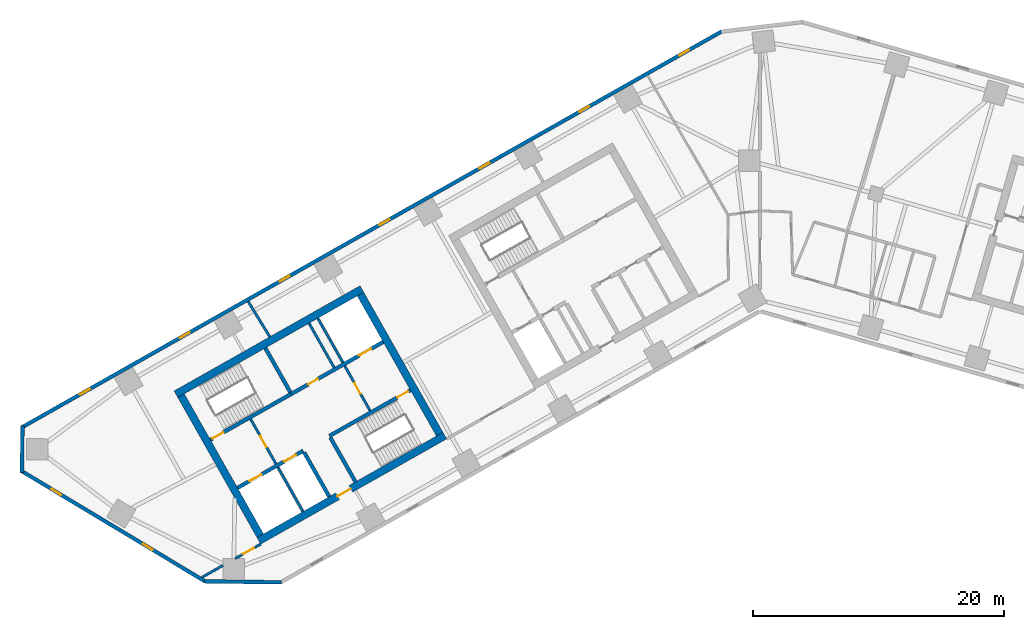
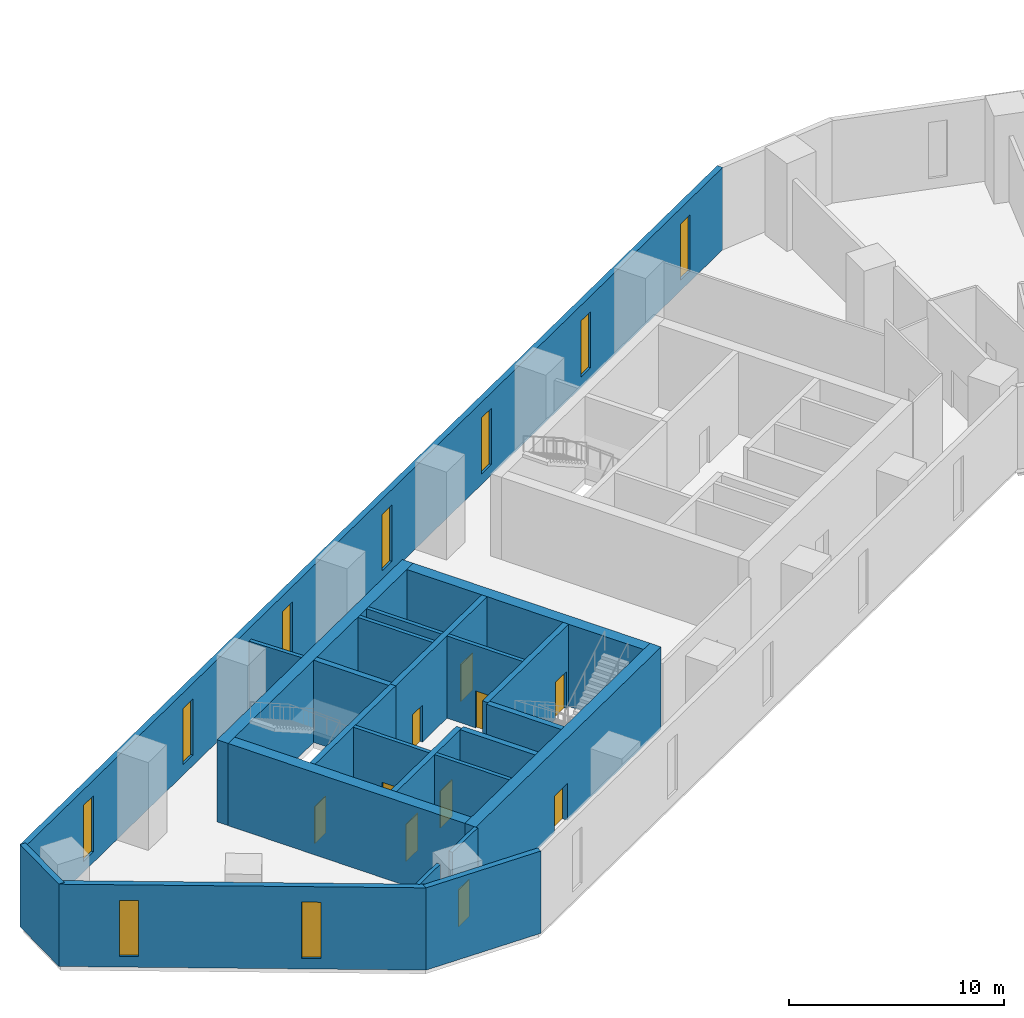
# One storey, part 3 of 10: 23 walls, 10 doors, 9 windows, 19 openings.
"""IFC4 building model written with IfcOpenShell, lengths in metres."""

from ifc_helpers import new_model, si_unit, direction, frame, frame_2d, origin, place, context, subcontext, project, spatial, rectangle, extrude, material, layer, layer_set, type_object, element, fill, save


model = new_model("IFC4")

# Units and contexts
model_context = context("Model", 3, precision=1e-05, world=origin(), true_north=direction((0.0, 1.0)))
body_context = subcontext(model_context, "Body", "Model", "MODEL_VIEW")
ifc_project = project(units=[si_unit("LENGTHUNIT", "METRE"), si_unit("AREAUNIT", "SQUARE_METRE"), si_unit("VOLUMEUNIT", "CUBIC_METRE"), si_unit("PLANEANGLEUNIT", "RADIAN"), si_unit("MASSUNIT", "GRAM", prefix="KILO")], contexts=[model_context])

# Site, building, storey
site_placement = place(None, origin())
site = spatial("IfcSite", under=ifc_project, at=site_placement, CompositionType="ELEMENT")
building_placement = place(site_placement, origin())
building = spatial("IfcBuilding", under=site, at=building_placement, Name="Binnacle Exchange Tower", CompositionType="ELEMENT")
storey_placement = place(building_placement, frame((0.0, 0.0, 81.5)))
storey = spatial("IfcBuildingStorey", under=building, at=storey_placement, Name="L16", CompositionType="ELEMENT", Elevation=81.5)

# Wall, openings, doors
ifc_material_1 = material(Name="Concrete C70/85", Category="concrete")
ifc_layer_1 = layer(ifc_material_1, 0.300048828125)
ifc_layer_set_1 = layer_set([ifc_layer_1], Name="Core wall - front 300")
wall_type_1 = type_object("IfcWallType", Name="Core wall - front 300", PredefinedType="SOLIDWALL", material=ifc_layer_set_1)
wall_1_placement = place(storey_placement, frame((-41.555908203125, 33.9609375, 0.0), z_axis=(0.0, 0.0, 1.0), x_axis=(0.870343731308, 0.492444706919, 0.0)))
wall_1 = element("IfcWall", 1, at=wall_1_placement, inside=storey, type_object=wall_type_1, Name="Core wall CRWA2", PredefinedType="SOLIDWALL", context=body_context, shape_type="SweptSolid", body=[
    extrude(rectangle(XDim=5.999755859375, YDim=0.300048828125, at=frame_2d((3.0, 0.0))), origin(), (0.0, 0.0, 1.0), 4.679931640625),
])
opening_1_placement = place(wall_1_placement, frame((1.099853515625, 0.0, 0.0)))
opening_1 = element("IfcOpeningElement", 2, at=opening_1_placement, cuts=wall_1, Name="Opening LD12", PredefinedType="OPENING", context=body_context, shape_type="SweptSolid", body=[
    extrude(rectangle(XDim=1.10009765625, YDim=2.10009765625, at=frame_2d((0.550048828125, 1.050048828125))), frame((0.0, 0.159912109375, 0.0), z_axis=(0.0, -1.0, 0.0), x_axis=(1.0, 0.0, 0.0)), (0.0, 0.0, 1.0), 0.320068359375),
])
opening_2_placement = place(wall_1_placement, frame((4.25, 0.0, 0.0)))
opening_2 = element("IfcOpeningElement", 3, at=opening_2_placement, cuts=wall_1, Name="Opening LD8", PredefinedType="OPENING", context=body_context, shape_type="SweptSolid", body=[
    extrude(rectangle(XDim=1.10009765625, YDim=2.10009765625, at=frame_2d((0.550048828125, 1.050048828125))), frame((0.0, 0.159912109375, 0.0), z_axis=(0.0, -1.0, 0.0), x_axis=(1.0, 0.0, 0.0)), (0.0, 0.0, 1.0), 0.320068359375),
])
ifc_material_2 = material(Name="Steel door leaf", Category="steel")
door_type_1 = type_object("IfcDoorType", Name="Fire door - lift landing 1100", OperationType="NOTDEFINED", PredefinedType="DOOR", material=ifc_material_2)
door_1_placement = place(opening_1_placement, origin())
door_1 = element("IfcDoor", 4, at=door_1_placement, inside=storey, type_object=door_type_1, Name="Landing door LD12 L16", OperationType="DOUBLE_DOOR_SLIDING", OverallHeight=2.10009765625, OverallWidth=1.10009765625, PredefinedType="DOOR", context=body_context, shape_type="SweptSolid", body=[
    extrude(rectangle(XDim=1.10009765625, YDim=2.10009765625, at=frame_2d((0.550048828125, 1.050048828125))), frame((0.0, 0.02490234375, 0.0), z_axis=(0.0, -1.0, 0.0), x_axis=(1.0, 0.0, 0.0)), (0.0, 0.0, 1.0), 0.050048828125),
])
fill(opening_1, door_1)
door_2_placement = place(opening_2_placement, origin())
door_2 = element("IfcDoor", 5, at=door_2_placement, inside=storey, type_object=door_type_1, Name="Landing door LD8 L16", OperationType="DOUBLE_DOOR_SLIDING", OverallHeight=2.10009765625, OverallWidth=1.10009765625, PredefinedType="DOOR", context=body_context, shape_type="SweptSolid", body=[
    extrude(rectangle(XDim=1.10009765625, YDim=2.10009765625, at=frame_2d((0.550048828125, 1.050048828125))), frame((0.0, 0.02490234375, 0.0), z_axis=(0.0, -1.0, 0.0), x_axis=(1.0, 0.0, 0.0)), (0.0, 0.0, 1.0), 0.050048828125),
])
fill(opening_2, door_2)

wall_2_placement = place(storey_placement, frame((-37.281982421875, 41.4345703125, 0.0), z_axis=(0.0, 0.0, 1.0), x_axis=(0.870356516133, 0.492422110414, 0.0)))
wall_2 = element("IfcWall", 6, at=wall_2_placement, inside=storey, type_object=wall_type_1, Name="Core wall CRWA5", PredefinedType="SOLIDWALL", context=body_context, shape_type="SweptSolid", body=[
    extrude(rectangle(XDim=8.399658203125, YDim=0.300048828125, at=frame_2d((4.19970703125, 0.0))), origin(), (0.0, 0.0, 1.0), 4.679931640625),
])
opening_3_placement = place(wall_2_placement, frame((6.199951171875, 0.0, 0.0)))
opening_3 = element("IfcOpeningElement", 7, at=opening_3_placement, cuts=wall_2, Name="Opening LD13", PredefinedType="OPENING", context=body_context, shape_type="SweptSolid", body=[
    extrude(rectangle(XDim=1.10009765625, YDim=2.10009765625, at=frame_2d((0.550048828125, 1.050048828125))), frame((0.0, 0.159912109375, 0.0), z_axis=(0.0, -1.0, 0.0), x_axis=(1.0, 0.0, 0.0)), (0.0, 0.0, 1.0), 0.320068359375),
])
opening_4_placement = place(wall_2_placement, frame((1.550048828125, 0.0, 0.0)))
opening_4 = element("IfcOpeningElement", 8, at=opening_4_placement, cuts=wall_2, Name="Opening DA10", PredefinedType="OPENING", context=body_context, shape_type="SweptSolid", body=[
    extrude(rectangle(XDim=0.89990234375, YDim=2.10009765625, at=frame_2d((0.449951171875, 1.050048828125))), frame((0.0, 0.159912109375, 0.0), z_axis=(0.0, -1.0, 0.0), x_axis=(1.0, 0.0, 0.0)), (0.0, 0.0, 1.0), 0.320068359375),
])
door_3_placement = place(opening_3_placement, origin())
door_3 = element("IfcDoor", 9, at=door_3_placement, inside=storey, type_object=door_type_1, Name="Landing door LD13 L16", OperationType="DOUBLE_DOOR_SLIDING", OverallHeight=2.10009765625, OverallWidth=1.10009765625, PredefinedType="DOOR", context=body_context, shape_type="SweptSolid", body=[
    extrude(rectangle(XDim=1.10009765625, YDim=2.10009765625, at=frame_2d((0.550048828125, 1.050048828125))), frame((0.0, 0.02490234375, 0.0), z_axis=(0.0, -1.0, 0.0), x_axis=(1.0, 0.0, 0.0)), (0.0, 0.0, 1.0), 0.050048828125),
])
fill(opening_3, door_3)
door_type_2 = type_object("IfcDoorType", Name="Fire door 900", OperationType="NOTDEFINED", PredefinedType="DOOR", material=ifc_material_2)
door_4_placement = place(opening_4_placement, origin())
door_4 = element("IfcDoor", 10, at=door_4_placement, inside=storey, type_object=door_type_2, Name="Core room door LINEN AND SUPPLIES STORE", OperationType="SINGLE_SWING_LEFT", OverallHeight=2.10009765625, OverallWidth=0.89990234375, PredefinedType="DOOR", context=body_context, shape_type="SweptSolid", body=[
    extrude(rectangle(XDim=0.89990234375, YDim=2.10009765625, at=frame_2d((0.449951171875, 1.050048828125))), frame((0.0, 0.02490234375, 0.0), z_axis=(0.0, -1.0, 0.0), x_axis=(1.0, 0.0, 0.0)), (0.0, 0.0, 1.0), 0.050048828125),
])
fill(opening_4, door_4)

# Wall
wall_3_placement = place(storey_placement, frame((-36.260009765625, 36.784912109375, 0.0), z_axis=(0.0, 0.0, 1.0), x_axis=(0.492440575896, -0.870346068648, 0.0)))
element("IfcWall", 11, at=wall_3_placement, inside=storey, type_object=wall_type_1, Name="Core wall CRWA13", PredefinedType="SOLIDWALL", context=body_context, shape_type="SweptSolid", body=[
    extrude(rectangle(XDim=4.050048828125, YDim=0.300048828125, at=frame_2d((2.02490234375, 0.0))), origin(), (0.0, 0.0, 1.0), 4.679931640625),
])

# Wall, opening, door
ifc_layer_2 = layer(ifc_material_1, 0.60009765625)
ifc_layer_set_2 = layer_set([ifc_layer_2], Name="Core wall - outer 600")
wall_type_2 = type_object("IfcWallType", Name="Core wall - outer 600", PredefinedType="SOLIDWALL", material=ifc_layer_set_2)
wall_4_placement = place(storey_placement, frame((-39.8623046875, 29.748779296875, 0.0), z_axis=(0.0, 0.0, 1.0), x_axis=(0.870350116061, 0.492433422375, 0.0)))
wall_4 = element("IfcWall", 12, at=wall_4_placement, inside=storey, type_object=wall_type_2, Name="Core wall CRWA1", PredefinedType="SOLIDWALL", context=body_context, shape_type="SweptSolid", body=[
    extrude(rectangle(XDim=17.0, YDim=0.60009765625, at=frame_2d((8.5, 0.0))), origin(), (0.0, 0.0, 1.0), 4.679931640625),
])
opening_5_placement = place(wall_4_placement, frame((7.199951171875, 0.0, 0.0)))
opening_5 = element("IfcOpeningElement", 13, at=opening_5_placement, cuts=wall_4, Name="Opening DA7", PredefinedType="OPENING", context=body_context, shape_type="SweptSolid", body=[
    extrude(rectangle(XDim=1.199951171875, YDim=2.10009765625, at=frame_2d((0.60009765625, 1.050048828125))), frame((0.0, 0.31005859375, 0.0), z_axis=(0.0, -1.0, 0.0), x_axis=(1.0, 0.0, 0.0)), (0.0, 0.0, 1.0), 0.6201171875),
])
door_type_3 = type_object("IfcDoorType", Name="Fire door 1200", OperationType="NOTDEFINED", PredefinedType="DOOR", material=ifc_material_2)
door_5_placement = place(opening_5_placement, frame((1.199951171875, 0.0, 0.0), z_axis=(0.0, 0.0, 1.0), x_axis=(-1.0, 0.0, 0.0)))
door_5 = element("IfcDoor", 14, at=door_5_placement, inside=storey, type_object=door_type_3, Name="Lift lobby entrance door core A", OperationType="SINGLE_SWING_RIGHT", OverallHeight=2.10009765625, OverallWidth=1.199951171875, PredefinedType="DOOR", context=body_context, shape_type="SweptSolid", body=[
    extrude(rectangle(XDim=1.199951171875, YDim=2.10009765625, at=frame_2d((0.60009765625, 1.050048828125))), frame((0.0, 0.02490234375, 0.0), z_axis=(0.0, -1.0, 0.0), x_axis=(1.0, 0.0, 0.0)), (0.0, 0.0, 1.0), 0.050048828125),
])
fill(opening_5, door_5)

# Walls
wall_5_placement = place(storey_placement, frame((-46.460693359375, 41.41162109375, 0.0), z_axis=(0.0, 0.0, 1.0), x_axis=(0.870350116061, 0.492433422375, 0.0)))
element("IfcWall", 15, at=wall_5_placement, inside=storey, type_object=wall_type_2, Name="Core wall CRWA6", PredefinedType="SOLIDWALL", context=body_context, shape_type="SweptSolid", body=[
    extrude(rectangle(XDim=17.0, YDim=0.60009765625, at=frame_2d((8.5, 0.0))), origin(), (0.0, 0.0, 1.0), 4.679931640625),
])
for number, where, z_axis, x_axis, name in (
    (16, (-46.052001953125, 41.29833984375, 0.0), (0.0, 0.0, 1.0), (0.492418598281, -0.870358503186, 0.0), "Core wall CRWA7"),
    (17, (-31.7783203125, 49.3740234375, 0.0), (0.0, 0.0, 1.0), (0.492433046652, -0.870350328641, 0.0), "Core wall CRWA22"),
):
    element("IfcWall", number, at=place(storey_placement, frame(where, z_axis=z_axis, x_axis=x_axis)), inside=storey, type_object=wall_type_2, Name=name, PredefinedType="SOLIDWALL", context=body_context, shape_type="SweptSolid", body=[
        extrude(rectangle(XDim=12.800048828125, YDim=0.60009765625, at=frame_2d((6.39990234375, 0.0))), origin(), (0.0, 0.0, 1.0), 4.679931640625),
    ])

# Wall, opening, door
ifc_layer_3 = layer(ifc_material_1, 0.300048828125)
ifc_layer_set_3 = layer_set([ifc_layer_3], Name="Core wall - stair 300")
wall_type_3 = type_object("IfcWallType", Name="Core wall - stair 300", PredefinedType="SOLIDWALL", material=ifc_layer_set_3)
wall_6_placement = place(storey_placement, frame((-34.2451171875, 38.097412109375, 0.0), z_axis=(0.0, 0.0, 1.0), x_axis=(0.870364910201, 0.492407273597, 0.0)))
wall_6 = element("IfcWall", 18, at=wall_6_placement, inside=storey, type_object=wall_type_3, Name="Core wall CRWA3", PredefinedType="SOLIDWALL", context=body_context, shape_type="SweptSolid", body=[
    extrude(rectangle(XDim=7.39990234375, YDim=0.300048828125, at=frame_2d((3.699951171875, 0.0))), origin(), (0.0, 0.0, 1.0), 4.679931640625),
])
opening_6_placement = place(wall_6_placement, frame((6.199951171875, 0.0, 0.0)))
opening_6 = element("IfcOpeningElement", 19, at=opening_6_placement, cuts=wall_6, Name="Opening DA2", PredefinedType="OPENING", context=body_context, shape_type="SweptSolid", body=[
    extrude(rectangle(XDim=1.0, YDim=2.10009765625, at=frame_2d((0.5, 1.050048828125))), frame((0.0, 0.159912109375, 0.0), z_axis=(0.0, -1.0, 0.0), x_axis=(1.0, 0.0, 0.0)), (0.0, 0.0, 1.0), 0.320068359375),
])
door_type_4 = type_object("IfcDoorType", Name="Fire door 1000", OperationType="NOTDEFINED", PredefinedType="DOOR", material=ifc_material_2)
door_6_placement = place(opening_6_placement, frame((1.0, 0.0, 0.0), z_axis=(0.0, 0.0, 1.0), x_axis=(-1.0, 0.0, 0.0)))
door_6 = element("IfcDoor", 20, at=door_6_placement, inside=storey, type_object=door_type_4, Name="Stair door ST-A2", OperationType="SINGLE_SWING_LEFT", OverallHeight=2.10009765625, OverallWidth=1.0, PredefinedType="DOOR", context=body_context, shape_type="SweptSolid", body=[
    extrude(rectangle(XDim=1.0, YDim=2.10009765625, at=frame_2d((0.5, 1.050048828125))), frame((0.0, 0.02490234375, 0.0), z_axis=(0.0, -1.0, 0.0), x_axis=(1.0, 0.0, 0.0)), (0.0, 0.0, 1.0), 0.050048828125),
])
fill(opening_6, door_6)

wall_7_placement = place(storey_placement, frame((-43.72265625, 37.79052734375, 0.0), z_axis=(0.0, 0.0, 1.0), x_axis=(0.87035077051, 0.49243226567, 0.0)))
wall_7 = element("IfcWall", 21, at=wall_7_placement, inside=storey, type_object=wall_type_3, Name="Core wall CRWA4", PredefinedType="SOLIDWALL", context=body_context, shape_type="SweptSolid", body=[
    extrude(rectangle(XDim=7.400146484375, YDim=0.300048828125, at=frame_2d((3.7001953125, 0.0))), origin(), (0.0, 0.0, 1.0), 4.679931640625),
])
opening_7_placement = place(wall_7_placement, frame((0.199951171875, 0.0, 0.0)))
opening_7 = element("IfcOpeningElement", 22, at=opening_7_placement, cuts=wall_7, Name="Opening DA1", PredefinedType="OPENING", context=body_context, shape_type="SweptSolid", body=[
    extrude(rectangle(XDim=1.0, YDim=2.10009765625, at=frame_2d((0.5, 1.050048828125))), frame((0.0, 0.159912109375, 0.0), z_axis=(0.0, -1.0, 0.0), x_axis=(1.0, 0.0, 0.0)), (0.0, 0.0, 1.0), 0.320068359375),
])
door_7_placement = place(opening_7_placement, origin())
door_7 = element("IfcDoor", 23, at=door_7_placement, inside=storey, type_object=door_type_4, Name="Stair door ST-A1", OperationType="SINGLE_SWING_LEFT", OverallHeight=2.10009765625, OverallWidth=1.0, PredefinedType="DOOR", context=body_context, shape_type="SweptSolid", body=[
    extrude(rectangle(XDim=1.0, YDim=2.10009765625, at=frame_2d((0.5, 1.050048828125))), frame((0.0, 0.02490234375, 0.0), z_axis=(0.0, -1.0, 0.0), x_axis=(1.0, 0.0, 0.0)), (0.0, 0.0, 1.0), 0.050048828125),
])
fill(opening_7, door_7)

# Walls
wall_8_placement = place(storey_placement, frame((-39.350341796875, 45.090087890625, 0.0), z_axis=(0.0, 0.0, 1.0), x_axis=(0.49241474071, -0.870360685654, 0.0)))
element("IfcWall", 24, at=wall_8_placement, inside=storey, type_object=wall_type_3, Name="Core wall CRWA14", PredefinedType="SOLIDWALL", context=body_context, shape_type="SweptSolid", body=[
    extrude(rectangle(XDim=4.05029296875, YDim=0.300048828125, at=frame_2d((2.025146484375, 0.0))), origin(), (0.0, 0.0, 1.0), 4.679931640625),
])
wall_9_placement = place(storey_placement, frame((-34.171142578125, 37.966796875, 0.0), z_axis=(0.0, 0.0, 1.0), x_axis=(0.492394910396, -0.870371904542, 0.0)))
element("IfcWall", 25, at=wall_9_placement, inside=storey, type_object=wall_type_3, Name="Core wall CRWA16", PredefinedType="SOLIDWALL", context=body_context, shape_type="SweptSolid", body=[
    extrude(rectangle(XDim=4.0498046875, YDim=0.300048828125, at=frame_2d((2.02490234375, 0.0))), origin(), (0.0, 0.0, 1.0), 4.679931640625),
])

# Wall, openings, windows
ifc_material_3 = material(Name="Bronze aluminium cladding", Category="aluminium")
ifc_layer_4 = layer(ifc_material_3, 0.300048828125)
ifc_layer_set_4 = layer_set([ifc_layer_4], Name="External wall - spandrel 300")
wall_type_4 = type_object("IfcWallType", Name="External wall - spandrel 300", PredefinedType="STANDARD", material=ifc_layer_set_4)
wall_10_placement = place(storey_placement, frame((-58.744873046875, 38.763671875, 0.0), z_axis=(0.0, 0.0, 1.0), x_axis=(0.870355811726, 0.492423355453, 0.0)))
wall_10 = element("IfcWall", 26, at=wall_10_placement, inside=storey, type_object=wall_type_4, Name="External wall EW-F03 L16", PredefinedType="STANDARD", context=body_context, shape_type="SweptSolid", body=[
    extrude(rectangle(XDim=64.025390625, YDim=0.300048828125, at=frame_2d((32.0126953125, 0.0))), origin(), (0.0, 0.0, 1.0), 4.679931640625),
])
opening_8_placement = place(wall_10_placement, frame((60.12158203125, 0.0, 0.60009765625)))
opening_8 = element("IfcOpeningElement", 27, at=opening_8_placement, cuts=wall_10, Name="Opening WS1", PredefinedType="OPENING", context=body_context, shape_type="SweptSolid", body=[
    extrude(rectangle(XDim=0.89990234375, YDim=3.199951171875, at=frame_2d((0.449951171875, 1.60009765625))), frame((0.0, 0.159912109375, 0.0), z_axis=(0.0, -1.0, 0.0), x_axis=(1.0, 0.0, 0.0)), (0.0, 0.0, 1.0), 0.320068359375),
])
opening_9_placement = place(wall_10_placement, frame((50.99169921875, 0.0, 0.60009765625)))
opening_9 = element("IfcOpeningElement", 28, at=opening_9_placement, cuts=wall_10, Name="Opening WS1", PredefinedType="OPENING", context=body_context, shape_type="SweptSolid", body=[
    extrude(rectangle(XDim=0.89990234375, YDim=3.199951171875, at=frame_2d((0.449951171875, 1.60009765625))), frame((0.0, 0.159912109375, 0.0), z_axis=(0.0, -1.0, 0.0), x_axis=(1.0, 0.0, 0.0)), (0.0, 0.0, 1.0), 0.320068359375),
])
opening_10_placement = place(wall_10_placement, frame((41.86181640625, 0.0, 0.60009765625)))
opening_10 = element("IfcOpeningElement", 29, at=opening_10_placement, cuts=wall_10, Name="Opening WS1", PredefinedType="OPENING", context=body_context, shape_type="SweptSolid", body=[
    extrude(rectangle(XDim=0.89990234375, YDim=3.199951171875, at=frame_2d((0.449951171875, 1.60009765625))), frame((0.0, 0.159912109375, 0.0), z_axis=(0.0, -1.0, 0.0), x_axis=(1.0, 0.0, 0.0)), (0.0, 0.0, 1.0), 0.320068359375),
])
opening_11_placement = place(wall_10_placement, frame((32.73193359375, 0.0, 0.60009765625)))
opening_11 = element("IfcOpeningElement", 30, at=opening_11_placement, cuts=wall_10, Name="Opening WS1", PredefinedType="OPENING", context=body_context, shape_type="SweptSolid", body=[
    extrude(rectangle(XDim=0.89990234375, YDim=3.199951171875, at=frame_2d((0.449951171875, 1.60009765625))), frame((0.0, 0.159912109375, 0.0), z_axis=(0.0, -1.0, 0.0), x_axis=(1.0, 0.0, 0.0)), (0.0, 0.0, 1.0), 0.320068359375),
])
opening_12_placement = place(wall_10_placement, frame((23.60205078125, 0.0, 0.60009765625)))
opening_12 = element("IfcOpeningElement", 31, at=opening_12_placement, cuts=wall_10, Name="Opening WS1", PredefinedType="OPENING", context=body_context, shape_type="SweptSolid", body=[
    extrude(rectangle(XDim=0.89990234375, YDim=3.199951171875, at=frame_2d((0.449951171875, 1.60009765625))), frame((0.0, 0.159912109375, 0.0), z_axis=(0.0, -1.0, 0.0), x_axis=(1.0, 0.0, 0.0)), (0.0, 0.0, 1.0), 0.320068359375),
])
opening_13_placement = place(wall_10_placement, frame((14.47216796875, 0.0, 0.60009765625)))
opening_13 = element("IfcOpeningElement", 32, at=opening_13_placement, cuts=wall_10, Name="Opening WS1", PredefinedType="OPENING", context=body_context, shape_type="SweptSolid", body=[
    extrude(rectangle(XDim=0.89990234375, YDim=3.199951171875, at=frame_2d((0.449951171875, 1.60009765625))), frame((0.0, 0.159912109375, 0.0), z_axis=(0.0, -1.0, 0.0), x_axis=(1.0, 0.0, 0.0)), (0.0, 0.0, 1.0), 0.320068359375),
])
opening_14_placement = place(wall_10_placement, frame((5.34228515625, 0.0, 0.60009765625)))
opening_14 = element("IfcOpeningElement", 33, at=opening_14_placement, cuts=wall_10, Name="Opening WS1", PredefinedType="OPENING", context=body_context, shape_type="SweptSolid", body=[
    extrude(rectangle(XDim=0.89990234375, YDim=3.199951171875, at=frame_2d((0.449951171875, 1.60009765625))), frame((0.0, 0.159912109375, 0.0), z_axis=(0.0, -1.0, 0.0), x_axis=(1.0, 0.0, 0.0)), (0.0, 0.0, 1.0), 0.320068359375),
])
ifc_material_4 = material(Name="Bronze anodised aluminium frame", Category="aluminium")
window_type = type_object("IfcWindowType", Name="WS1 WINDOW 900x3200", PartitioningType="SINGLE_PANEL", PredefinedType="WINDOW", material=ifc_material_4)
window_1_placement = place(opening_8_placement, origin())
window_1 = element("IfcWindow", 34, at=window_1_placement, inside=storey, type_object=window_type, Name="Window WS1 L16", OverallHeight=3.199951171875, OverallWidth=0.89990234375, PartitioningType="SINGLE_PANEL", PredefinedType="WINDOW", context=body_context, shape_type="SweptSolid", body=[
    extrude(rectangle(XDim=0.89990234375, YDim=3.199951171875, at=frame_2d((0.449951171875, 1.60009765625))), frame((0.0, 0.030029296875, 0.0), z_axis=(0.0, -1.0, 0.0), x_axis=(1.0, 0.0, 0.0)), (0.0, 0.0, 1.0), 0.06005859375),
])
fill(opening_8, window_1)
window_2_placement = place(opening_9_placement, origin())
window_2 = element("IfcWindow", 35, at=window_2_placement, inside=storey, type_object=window_type, Name="Window WS1 L16", OverallHeight=3.199951171875, OverallWidth=0.89990234375, PartitioningType="SINGLE_PANEL", PredefinedType="WINDOW", context=body_context, shape_type="SweptSolid", body=[
    extrude(rectangle(XDim=0.89990234375, YDim=3.199951171875, at=frame_2d((0.449951171875, 1.60009765625))), frame((0.0, 0.030029296875, 0.0), z_axis=(0.0, -1.0, 0.0), x_axis=(1.0, 0.0, 0.0)), (0.0, 0.0, 1.0), 0.06005859375),
])
fill(opening_9, window_2)
window_3_placement = place(opening_10_placement, origin())
window_3 = element("IfcWindow", 36, at=window_3_placement, inside=storey, type_object=window_type, Name="Window WS1 L16", OverallHeight=3.199951171875, OverallWidth=0.89990234375, PartitioningType="SINGLE_PANEL", PredefinedType="WINDOW", context=body_context, shape_type="SweptSolid", body=[
    extrude(rectangle(XDim=0.89990234375, YDim=3.199951171875, at=frame_2d((0.449951171875, 1.60009765625))), frame((0.0, 0.030029296875, 0.0), z_axis=(0.0, -1.0, 0.0), x_axis=(1.0, 0.0, 0.0)), (0.0, 0.0, 1.0), 0.06005859375),
])
fill(opening_10, window_3)
window_4_placement = place(opening_11_placement, origin())
window_4 = element("IfcWindow", 37, at=window_4_placement, inside=storey, type_object=window_type, Name="Window WS1 L16", OverallHeight=3.199951171875, OverallWidth=0.89990234375, PartitioningType="SINGLE_PANEL", PredefinedType="WINDOW", context=body_context, shape_type="SweptSolid", body=[
    extrude(rectangle(XDim=0.89990234375, YDim=3.199951171875, at=frame_2d((0.449951171875, 1.60009765625))), frame((0.0, 0.030029296875, 0.0), z_axis=(0.0, -1.0, 0.0), x_axis=(1.0, 0.0, 0.0)), (0.0, 0.0, 1.0), 0.06005859375),
])
fill(opening_11, window_4)
window_5_placement = place(opening_12_placement, origin())
window_5 = element("IfcWindow", 38, at=window_5_placement, inside=storey, type_object=window_type, Name="Window WS1 L16", OverallHeight=3.199951171875, OverallWidth=0.89990234375, PartitioningType="SINGLE_PANEL", PredefinedType="WINDOW", context=body_context, shape_type="SweptSolid", body=[
    extrude(rectangle(XDim=0.89990234375, YDim=3.199951171875, at=frame_2d((0.449951171875, 1.60009765625))), frame((0.0, 0.030029296875, 0.0), z_axis=(0.0, -1.0, 0.0), x_axis=(1.0, 0.0, 0.0)), (0.0, 0.0, 1.0), 0.06005859375),
])
fill(opening_12, window_5)
window_6_placement = place(opening_13_placement, origin())
window_6 = element("IfcWindow", 39, at=window_6_placement, inside=storey, type_object=window_type, Name="Window WS1 L16", OverallHeight=3.199951171875, OverallWidth=0.89990234375, PartitioningType="SINGLE_PANEL", PredefinedType="WINDOW", context=body_context, shape_type="SweptSolid", body=[
    extrude(rectangle(XDim=0.89990234375, YDim=3.199951171875, at=frame_2d((0.449951171875, 1.60009765625))), frame((0.0, 0.030029296875, 0.0), z_axis=(0.0, -1.0, 0.0), x_axis=(1.0, 0.0, 0.0)), (0.0, 0.0, 1.0), 0.06005859375),
])
fill(opening_13, window_6)
window_7_placement = place(opening_14_placement, origin())
window_7 = element("IfcWindow", 40, at=window_7_placement, inside=storey, type_object=window_type, Name="Window WS1 L16", OverallHeight=3.199951171875, OverallWidth=0.89990234375, PartitioningType="SINGLE_PANEL", PredefinedType="WINDOW", context=body_context, shape_type="SweptSolid", body=[
    extrude(rectangle(XDim=0.89990234375, YDim=3.199951171875, at=frame_2d((0.449951171875, 1.60009765625))), frame((0.0, 0.030029296875, 0.0), z_axis=(0.0, -1.0, 0.0), x_axis=(1.0, 0.0, 0.0)), (0.0, 0.0, 1.0), 0.06005859375),
])
fill(opening_14, window_7)

# Wall
wall_11_placement = place(storey_placement, frame((-58.717041015625, 35.19384765625, 0.0), z_axis=(0.0, 0.0, 1.0), x_axis=(0.013069053407, 0.999914596275, 0.0)))
element("IfcWall", 41, at=wall_11_placement, inside=storey, type_object=wall_type_4, Name="External wall EW-F04 L16", PredefinedType="STANDARD", context=body_context, shape_type="SweptSolid", body=[
    extrude(rectangle(XDim=3.69873046875, YDim=0.300048828125, at=frame_2d((1.849365234375, 0.0))), origin(), (0.0, 0.0, 1.0), 4.679931640625),
])

# Wall, openings, windows
wall_12_placement = place(storey_placement, frame((-44.109375, 26.503662109375, 0.0), z_axis=(0.0, 0.0, 1.0), x_axis=(-0.857169502585, 0.515034410344, 0.0)))
wall_12 = element("IfcWall", 42, at=wall_12_placement, inside=storey, type_object=wall_type_4, Name="External wall EW-F05 L16", PredefinedType="STANDARD", context=body_context, shape_type="SweptSolid", body=[
    extrude(rectangle(XDim=17.126708984375, YDim=0.300048828125, at=frame_2d((8.5634765625, 0.0))), origin(), (0.0, 0.0, 1.0), 4.679931640625),
])
opening_15_placement = place(wall_12_placement, frame((13.403076171875, 0.0, 0.60009765625)))
opening_15 = element("IfcOpeningElement", 43, at=opening_15_placement, cuts=wall_12, Name="Opening WS1", PredefinedType="OPENING", context=body_context, shape_type="SweptSolid", body=[
    extrude(rectangle(XDim=0.89990234375, YDim=3.199951171875, at=frame_2d((0.449951171875, 1.60009765625))), frame((0.0, 0.159912109375, 0.0), z_axis=(0.0, -1.0, 0.0), x_axis=(1.0, 0.0, 0.0)), (0.0, 0.0, 1.0), 0.320068359375),
])
opening_16_placement = place(wall_12_placement, frame((4.903076171875, 0.0, 0.60009765625)))
opening_16 = element("IfcOpeningElement", 44, at=opening_16_placement, cuts=wall_12, Name="Opening WS1", PredefinedType="OPENING", context=body_context, shape_type="SweptSolid", body=[
    extrude(rectangle(XDim=0.89990234375, YDim=3.199951171875, at=frame_2d((0.449951171875, 1.60009765625))), frame((0.0, 0.159912109375, 0.0), z_axis=(0.0, -1.0, 0.0), x_axis=(1.0, 0.0, 0.0)), (0.0, 0.0, 1.0), 0.320068359375),
])
window_8_placement = place(opening_15_placement, origin())
window_8 = element("IfcWindow", 45, at=window_8_placement, inside=storey, type_object=window_type, Name="Window WS1 L16", OverallHeight=3.199951171875, OverallWidth=0.89990234375, PartitioningType="SINGLE_PANEL", PredefinedType="WINDOW", context=body_context, shape_type="SweptSolid", body=[
    extrude(rectangle(XDim=0.89990234375, YDim=3.199951171875, at=frame_2d((0.449951171875, 1.60009765625))), frame((0.0, 0.030029296875, 0.0), z_axis=(0.0, -1.0, 0.0), x_axis=(1.0, 0.0, 0.0)), (0.0, 0.0, 1.0), 0.06005859375),
])
fill(opening_15, window_8)
window_9_placement = place(opening_16_placement, origin())
window_9 = element("IfcWindow", 46, at=window_9_placement, inside=storey, type_object=window_type, Name="Window WS1 L16", OverallHeight=3.199951171875, OverallWidth=0.89990234375, PartitioningType="SINGLE_PANEL", PredefinedType="WINDOW", context=body_context, shape_type="SweptSolid", body=[
    extrude(rectangle(XDim=0.89990234375, YDim=3.199951171875, at=frame_2d((0.449951171875, 1.60009765625))), frame((0.0, 0.030029296875, 0.0), z_axis=(0.0, -1.0, 0.0), x_axis=(1.0, 0.0, 0.0)), (0.0, 0.0, 1.0), 0.06005859375),
])
fill(opening_16, window_9)

# Walls
wall_13_placement = place(storey_placement, frame((-38.057373046875, 26.44482421875, 0.0), z_axis=(0.0, 0.0, 1.0), x_axis=(-0.999914086342, 0.013108010296, 0.0)))
element("IfcWall", 47, at=wall_13_placement, inside=storey, type_object=wall_type_4, Name="External wall EW-F06 L16", PredefinedType="STANDARD", context=body_context, shape_type="SweptSolid", body=[
    extrude(rectangle(XDim=6.127685546875, YDim=0.300048828125, at=frame_2d((3.06396484375, 0.0))), origin(), (0.0, 0.0, 1.0), 4.679931640625),
])
ifc_material_5 = material(Name="Masonry block wall", Category="masonry")
ifc_layer_5 = layer(ifc_material_5, 0.199951171875)
ifc_layer_set_5 = layer_set([ifc_layer_5], Name="Fire wall - block 200")
wall_type_5 = type_object("IfcWallType", Name="Fire wall - block 200", PredefinedType="PARTITIONING", material=ifc_layer_set_5)
wall_14_placement = place(storey_placement, frame((-44.385986328125, 26.844970703125, 0.0), z_axis=(0.0, 0.0, 1.0), x_axis=(0.870226201187, 0.492652371118, 0.0)))
element("IfcWall", 48, at=wall_14_placement, inside=storey, type_object=wall_type_5, Name="Partition W01", PredefinedType="PARTITIONING", context=body_context, shape_type="SweptSolid", body=[
    extrude(rectangle(XDim=1.9326171875, YDim=0.199951171875, at=frame_2d((0.96630859375, 0.0))), origin(), (0.0, 0.0, 1.0), 4.679931640625),
])

# Wall, opening, door
wall_15_placement = place(storey_placement, frame((-41.738037109375, 28.343017578125, 0.0), z_axis=(0.0, 0.0, 1.0), x_axis=(0.870265350095, 0.492583211676, 0.0)))
wall_15 = element("IfcWall", 49, at=wall_15_placement, inside=storey, type_object=wall_type_5, Name="Partition W02", PredefinedType="PARTITIONING", context=body_context, shape_type="SweptSolid", body=[
    extrude(rectangle(XDim=2.324462890625, YDim=0.199951171875, at=frame_2d((1.162109375, 0.0))), origin(), (0.0, 0.0, 1.0), 4.679931640625),
])
opening_17_placement = place(wall_15_placement, frame((0.699951171875, 0.0, 0.0)))
opening_17 = element("IfcOpeningElement", 50, at=opening_17_placement, cuts=wall_15, Name="Opening DL16-01", PredefinedType="OPENING", context=body_context, shape_type="SweptSolid", body=[
    extrude(rectangle(XDim=1.0, YDim=2.10009765625, at=frame_2d((0.5, 1.050048828125))), frame((0.0, 0.10986328125, 0.0), z_axis=(0.0, -1.0, 0.0), x_axis=(1.0, 0.0, 0.0)), (0.0, 0.0, 1.0), 0.219970703125),
])
door_8_placement = place(opening_17_placement, origin())
door_8 = element("IfcDoor", 51, at=door_8_placement, inside=storey, type_object=door_type_4, Name="Door DL16-01", OperationType="SINGLE_SWING_RIGHT", OverallHeight=2.10009765625, OverallWidth=1.0, PredefinedType="DOOR", context=body_context, shape_type="SweptSolid", body=[
    extrude(rectangle(XDim=1.0, YDim=2.10009765625, at=frame_2d((0.5, 1.050048828125))), frame((0.0, 0.02490234375, 0.0), z_axis=(0.0, -1.0, 0.0), x_axis=(1.0, 0.0, 0.0)), (0.0, 0.0, 1.0), 0.050048828125),
])
fill(opening_17, door_8)

# Wall
wall_16_placement = place(storey_placement, frame((-40.712890625, 48.7939453125, 0.0), z_axis=(0.0, 0.0, 1.0), x_axis=(0.52165366254, -0.853157345604, 0.0)))
element("IfcWall", 52, at=wall_16_placement, inside=storey, type_object=wall_type_5, Name="Partition W03", PredefinedType="PARTITIONING", context=body_context, shape_type="SweptSolid", body=[
    extrude(rectangle(XDim=3.297119140625, YDim=0.199951171875, at=frame_2d((1.6484375, 0.0))), origin(), (0.0, 0.0, 1.0), 3.9599609375),
])

# Wall, opening, door
ifc_layer_6 = layer(ifc_material_5, 0.199951171875)
ifc_layer_set_6 = layer_set([ifc_layer_6], Name="Fire wall - vestibule 200")
wall_type_6 = type_object("IfcWallType", Name="Fire wall - vestibule 200", PredefinedType="PARTITIONING", material=ifc_layer_set_6)
wall_17_placement = place(storey_placement, frame((-40.515625, 39.4326171875, 0.0), z_axis=(0.0, 0.0, 1.0), x_axis=(0.492453559952, -0.87033872216, 0.0)))
wall_17 = element("IfcWall", 53, at=wall_17_placement, inside=storey, type_object=wall_type_6, Name="Core wall CRWA10", PredefinedType="PARTITIONING", context=body_context, shape_type="SweptSolid", body=[
    extrude(rectangle(XDim=4.099853515625, YDim=0.199951171875, at=frame_2d((2.0498046875, 0.0))), origin(), (0.0, 0.0, 1.0), 4.679931640625),
])
opening_18_placement = place(wall_17_placement, frame((1.550048828125, 0.0, 0.0)))
opening_18 = element("IfcOpeningElement", 54, at=opening_18_placement, cuts=wall_17, Name="Opening DA3", PredefinedType="OPENING", context=body_context, shape_type="SweptSolid", body=[
    extrude(rectangle(XDim=1.0, YDim=2.10009765625, at=frame_2d((0.5, 1.050048828125))), frame((0.0, 0.10986328125, 0.0), z_axis=(0.0, -1.0, 0.0), x_axis=(1.0, 0.0, 0.0)), (0.0, 0.0, 1.0), 0.219970703125),
])
door_9_placement = place(opening_18_placement, frame((1.0, 0.0, 0.0), z_axis=(0.0, 0.0, 1.0), x_axis=(-1.0, 0.0, 0.0)))
door_9 = element("IfcDoor", 55, at=door_9_placement, inside=storey, type_object=door_type_4, Name="Vestibule door VEST-W", OperationType="SINGLE_SWING_LEFT", OverallHeight=2.10009765625, OverallWidth=1.0, PredefinedType="DOOR", context=body_context, shape_type="SweptSolid", body=[
    extrude(rectangle(XDim=1.0, YDim=2.10009765625, at=frame_2d((0.5, 1.050048828125))), frame((0.0, 0.02490234375, 0.0), z_axis=(0.0, -1.0, 0.0), x_axis=(1.0, 0.0, 0.0)), (0.0, 0.0, 1.0), 0.050048828125),
])
fill(opening_18, door_9)

wall_18_placement = place(storey_placement, frame((-33.030517578125, 43.66748046875, 0.0), z_axis=(0.0, 0.0, 1.0), x_axis=(0.492408451753, -0.87036424366, 0.0)))
wall_18 = element("IfcWall", 56, at=wall_18_placement, inside=storey, type_object=wall_type_6, Name="Core wall CRWA19", PredefinedType="PARTITIONING", context=body_context, shape_type="SweptSolid", body=[
    extrude(rectangle(XDim=4.099853515625, YDim=0.199951171875, at=frame_2d((2.0498046875, 0.0))), origin(), (0.0, 0.0, 1.0), 4.679931640625),
])
opening_19_placement = place(wall_18_placement, frame((1.550048828125, 0.0, 0.0)))
opening_19 = element("IfcOpeningElement", 57, at=opening_19_placement, cuts=wall_18, Name="Opening DA4", PredefinedType="OPENING", context=body_context, shape_type="SweptSolid", body=[
    extrude(rectangle(XDim=1.0, YDim=2.10009765625, at=frame_2d((0.5, 1.050048828125))), frame((0.0, 0.10986328125, 0.0), z_axis=(0.0, -1.0, 0.0), x_axis=(1.0, 0.0, 0.0)), (0.0, 0.0, 1.0), 0.219970703125),
])
door_10_placement = place(opening_19_placement, origin())
door_10 = element("IfcDoor", 58, at=door_10_placement, inside=storey, type_object=door_type_4, Name="Vestibule door VEST-E", OperationType="SINGLE_SWING_RIGHT", OverallHeight=2.10009765625, OverallWidth=1.0, PredefinedType="DOOR", context=body_context, shape_type="SweptSolid", body=[
    extrude(rectangle(XDim=1.0, YDim=2.10009765625, at=frame_2d((0.5, 1.050048828125))), frame((0.0, 0.02490234375, 0.0), z_axis=(0.0, -1.0, 0.0), x_axis=(1.0, 0.0, 0.0)), (0.0, 0.0, 1.0), 0.050048828125),
])
fill(opening_19, door_10)

# Walls
ifc_layer_7 = layer(ifc_material_5, 0.199951171875)
ifc_layer_set_7 = layer_set([ifc_layer_7], Name="Riser wall 200")
wall_type_7 = type_object("IfcWallType", Name="Riser wall 200", PredefinedType="SOLIDWALL", material=ifc_layer_set_7)
wall_19_placement = place(storey_placement, frame((-35.868896484375, 47.059814453125, 0.0), z_axis=(0.0, 0.0, 1.0), x_axis=(0.49241474071, -0.870360685654, 0.0)))
element("IfcWall", 59, at=wall_19_placement, inside=storey, type_object=wall_type_7, Name="Core wall CRWA18", PredefinedType="SOLIDWALL", context=body_context, shape_type="SweptSolid", body=[
    extrude(rectangle(XDim=4.05029296875, YDim=0.199951171875, at=frame_2d((2.025146484375, 0.0))), origin(), (0.0, 0.0, 1.0), 4.679931640625),
])
wall_20_placement = place(storey_placement, frame((-35.172607421875, 47.45361328125, 0.0), z_axis=(0.0, 0.0, 1.0), x_axis=(0.492440575896, -0.870346068648, 0.0)))
element("IfcWall", 60, at=wall_20_placement, inside=storey, type_object=wall_type_7, Name="Core wall CRWA20", PredefinedType="SOLIDWALL", context=body_context, shape_type="SweptSolid", body=[
    extrude(rectangle(XDim=4.050048828125, YDim=0.199951171875, at=frame_2d((2.02490234375, 0.0))), origin(), (0.0, 0.0, 1.0), 4.679931640625),
])
ifc_layer_8 = layer(ifc_material_5, 0.199951171875)
ifc_layer_set_8 = layer_set([ifc_layer_8], Name="Shaft wall 200")
wall_type_8 = type_object("IfcWallType", Name="Shaft wall 200", PredefinedType="SOLIDWALL", material=ifc_layer_set_8)
wall_21_placement = place(storey_placement, frame((-38.348876953125, 35.603271484375, 0.0), z_axis=(0.0, 0.0, 1.0), x_axis=(0.49241474071, -0.870360685654, 0.0)))
element("IfcWall", 61, at=wall_21_placement, inside=storey, type_object=wall_type_8, Name="Core wall CRWA9", PredefinedType="SOLIDWALL", context=body_context, shape_type="SweptSolid", body=[
    extrude(rectangle(XDim=4.05029296875, YDim=0.199951171875, at=frame_2d((2.025146484375, 0.0))), origin(), (0.0, 0.0, 1.0), 4.679931640625),
])

save(model, "model.ifc")
